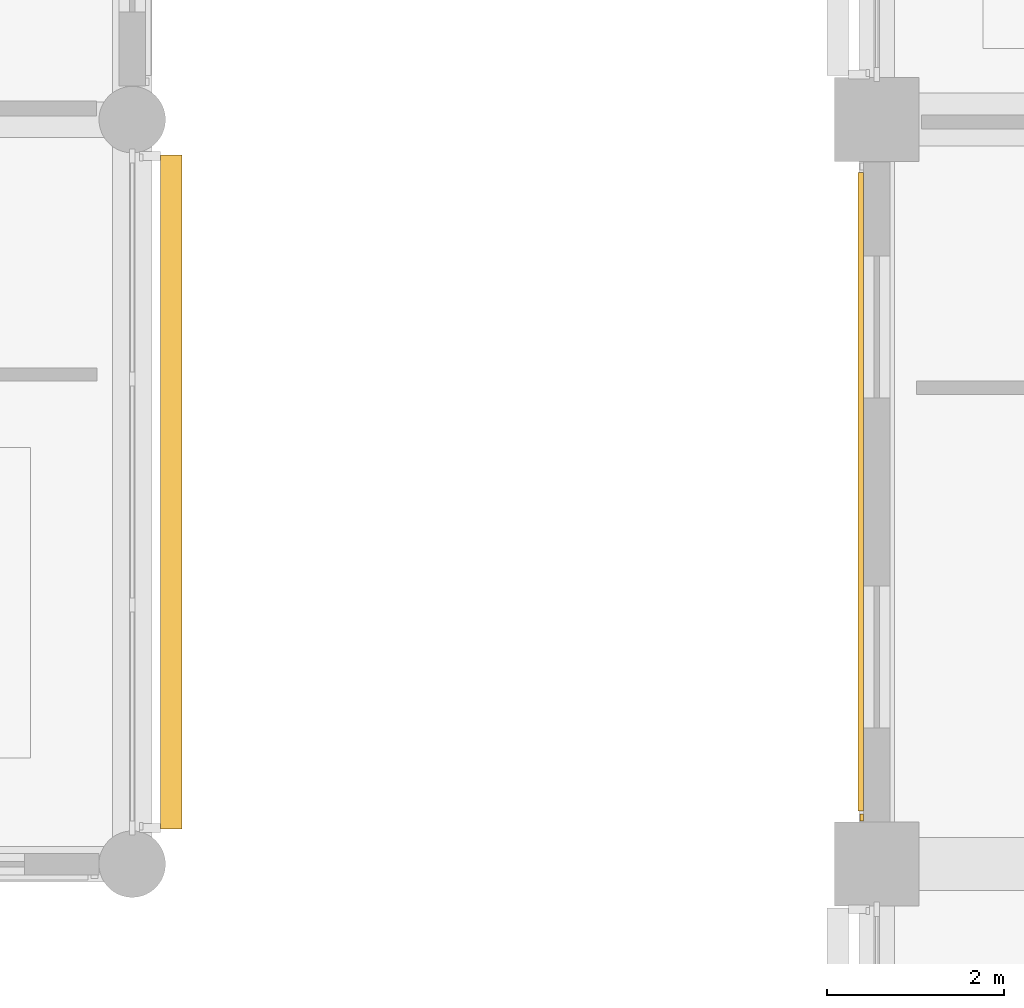
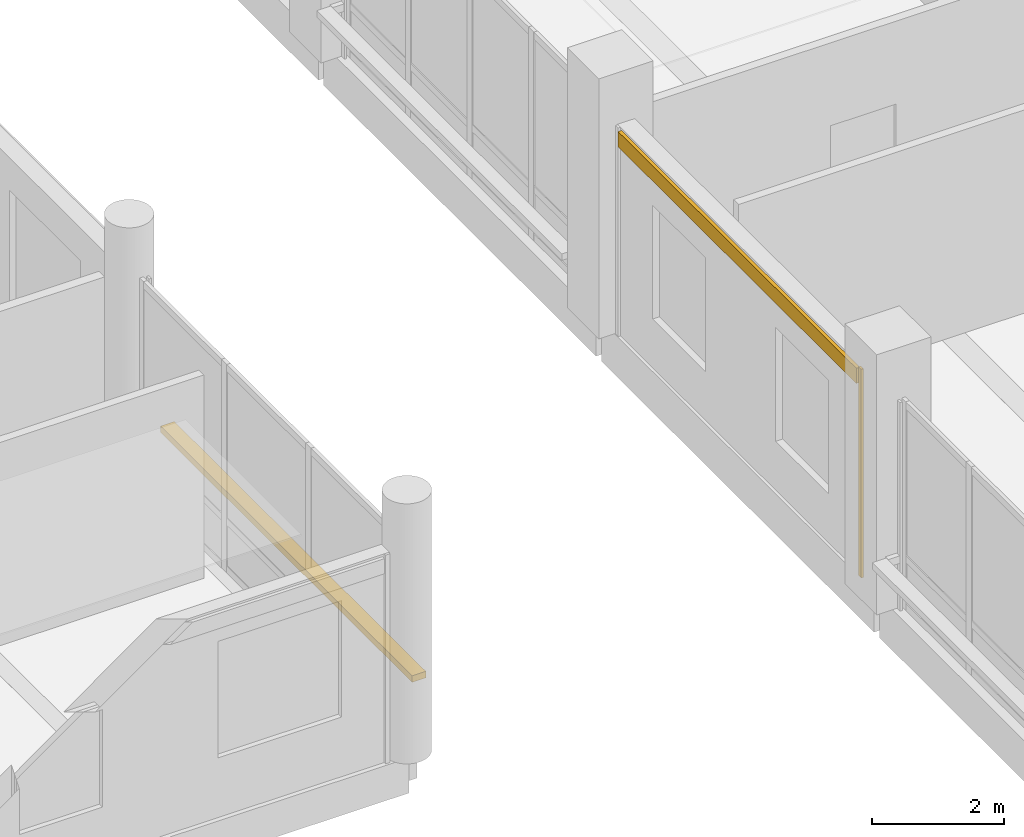
# One storey, part 90 of 122: 2 coverings, 1 shading device.
"""IFC4 building model written with IfcOpenShell, lengths in metres."""

import ifcopenshell
import ifcopenshell.guid

model = None  # the IFC model being written
_history = None  # IfcOwnerHistory: only IFC2X3 demands one
_inside = {}  # id of a spatial element -> (the spatial element, [elements in it])
_under = {}  # id of a project, library or spatial element -> (it, [spatial elements below it])
_declared = {}  # id of a project -> (the project, [libraries it declares])
_typed = {}  # id of a type object -> (the type object, [elements of that type])
_made_of = {}  # id of a material, layer set ... -> (it, [elements and type objects made of it])


def new_model(schema):
    """Start an empty IFC model of exactly this schema.

    Asked for "IFC4X3", IfcOpenShell would pick the latest addendum, in which some entities
    have other attributes; the version numbers below select the first issue.
    IFC2X3 requires an IfcOwnerHistory on every rooted entity: one is made here for all.
    """
    global model, _history
    if schema == "IFC4X3":
        model = ifcopenshell.file(schema_version=(4, 3, 0, 0))
    else:
        model = ifcopenshell.file(schema=schema)
    _inside.clear()
    _under.clear()
    _declared.clear()
    _typed.clear()
    _made_of.clear()
    _history = None
    if model.schema == "IFC2X3":
        org = make("IfcOrganization", Name="unknown")
        user = make(
            "IfcPersonAndOrganization",
            ThePerson=make("IfcPerson", FamilyName="unknown"),
            TheOrganization=org,
        )
        app = make(
            "IfcApplication",
            ApplicationDeveloper=org,
            Version="unknown",
            ApplicationFullName="unknown",
            ApplicationIdentifier="unknown",
        )
        _history = make(
            "IfcOwnerHistory",
            OwningUser=user,
            OwningApplication=app,
            ChangeAction="ADDED",
            CreationDate=0,
        )
    return model


def make(cls, **values):
    """One entity of the class cls with the attributes given. An attribute that is None is left unset."""
    return model.create_entity(
        cls, **{name: value for name, value in values.items() if value is not None}
    )


def rooted(cls, **values):
    """An entity with a GlobalId (a new one), such as an element, a storey or a relation."""
    return make(cls, GlobalId=ifcopenshell.guid.new(), OwnerHistory=_history, **values)


def si_unit(unit_type, name, prefix=None):
    """IfcSIUnit, for example si_unit("LENGTHUNIT", "METRE", prefix="MILLI")."""
    return make("IfcSIUnit", UnitType=unit_type, Prefix=prefix, Name=name)


def assignment(units):
    """IfcUnitAssignment: the units of a project."""
    return None if units is None else make("IfcUnitAssignment", Units=units)


def point(xyz):
    """IfcCartesianPoint."""
    return None if xyz is None else make("IfcCartesianPoint", Coordinates=xyz)


def direction(xyz):
    """IfcDirection."""
    return None if xyz is None else make("IfcDirection", DirectionRatios=xyz)


def frame(location, z_axis=None, x_axis=None):
    """IfcAxis2Placement3D, a coordinate frame: its origin and axes. An axis left out is left unset."""
    return make(
        "IfcAxis2Placement3D",
        Location=point(location),
        Axis=direction(z_axis),
        RefDirection=direction(x_axis),
    )


def frame_2d(location, x_axis=None):
    """IfcAxis2Placement2D, a coordinate frame in the plane: its origin and x axis."""
    return make(
        "IfcAxis2Placement2D", Location=point(location), RefDirection=direction(x_axis)
    )


def origin():
    """The frame at (0, 0, 0) with its axes left unset."""
    return frame((0.0, 0.0, 0.0))


def origin_2d():
    """The frame at (0, 0) in the plane with its x axis left unset."""
    return frame_2d((0.0, 0.0))


def place(relative_to, where):
    """IfcLocalPlacement: puts the frame where relative to a parent placement (None: the world)."""
    return make(
        "IfcLocalPlacement", PlacementRelTo=relative_to, RelativePlacement=where
    )


def context(
    kind, dimensions, precision=None, world=None, true_north=None, identifier=None
):
    """IfcGeometricRepresentationContext, for example the 3D "Model" context."""
    return make(
        "IfcGeometricRepresentationContext",
        ContextIdentifier=identifier,
        ContextType=kind,
        CoordinateSpaceDimension=dimensions,
        Precision=precision,
        WorldCoordinateSystem=world,
        TrueNorth=true_north,
    )


def subcontext(parent, identifier, kind, view, scale=None):
    """IfcGeometricRepresentationSubContext, for example "Body" below "Model"."""
    return make(
        "IfcGeometricRepresentationSubContext",
        ContextIdentifier=identifier,
        ContextType=kind,
        ParentContext=parent,
        TargetScale=scale,
        TargetView=view,
    )


def project(units=None, contexts=None):
    """IfcProject with its units and contexts."""
    return rooted(
        "IfcProject",
        Name="project",
        RepresentationContexts=contexts,
        UnitsInContext=assignment(units),
    )


def spatial(cls, under=None, at=None, **own):
    """A site, building, storey or space (cls), placed at a placement, below another one or the project."""
    s = rooted(cls, ObjectPlacement=at, **own)
    if under is not None:
        _under.setdefault(under.id(), (under, []))[1].append(s)
    return s


def profile(cls, at=None, kind="AREA", **sizes):
    """A parametric profile (cls). Its sizes go by their IFC names, for example OverallWidth=200.0."""
    return make(cls, ProfileType=kind, Position=at, **sizes)


def rectangle(**sizes):
    """IfcRectangleProfileDef."""
    return profile("IfcRectangleProfileDef", **sizes)


def extrude(swept, where, along, depth):
    """IfcExtrudedAreaSolid: the profile swept, set in the frame where, extruded along a direction by depth."""
    return make(
        "IfcExtrudedAreaSolid",
        SweptArea=swept,
        Position=where,
        ExtrudedDirection=direction(along),
        Depth=depth,
    )


def shape(context_of_items, identifier, shape_type, items):
    """IfcShapeRepresentation: the items that make up one representation, for example the "Body"."""
    return make(
        "IfcShapeRepresentation",
        ContextOfItems=context_of_items,
        RepresentationIdentifier=identifier,
        RepresentationType=shape_type,
        Items=items,
    )


def material(Name=None, Category=None):
    """IfcMaterial."""
    return make("IfcMaterial", Name=Name, Category=Category)


def layer(
    of_material, thickness, ventilated=None, Name=None, Category=None, Priority=None
):
    """IfcMaterialLayer: one layer of a wall or slab, of a material (None: an air gap)."""
    return make(
        "IfcMaterialLayer",
        Material=of_material,
        LayerThickness=thickness,
        IsVentilated=ventilated,
        Name=Name,
        Category=Category,
        Priority=Priority,
    )


def layer_set(layers, Name=None):
    """IfcMaterialLayerSet."""
    return make("IfcMaterialLayerSet", MaterialLayers=layers, LayerSetName=Name)


def made_of(thing, what):
    """Note that an element or type object is made of a material, layer set ...; save() writes the relation."""
    if what is not None:
        _made_of.setdefault(what.id(), (what, []))[1].append(thing)
    return thing


def type_object(cls, material=None, **own):
    """A type object (cls), such as IfcWallType, which elements share."""
    return made_of(rooted(cls, **own), material)


def element(
    cls,
    number,
    at=None,
    inside=None,
    cuts=None,
    type_object=None,
    material=None,
    context=None,
    identifier="Body",
    shape_type=None,
    held_by="IfcProductDefinitionShape",
    body=None,
    shapes=None,
    **own,
):
    """One element of the class cls, such as IfcWall. Its Tag is "e" and its number.

    at: its placement. inside: the storey or other place that contains it. cuts: it is an
    opening in that element (IfcRelVoidsElement). A single representation is given by context,
    identifier, shape_type and body (its items); several are given by shapes. held_by: the class
    of the entity that holds the representations. save() writes the other relations.
    """
    e = rooted(cls, Tag="e%d" % number, ObjectPlacement=at, **own)
    if body is not None:
        shapes = [shape(context, identifier, shape_type, body)]
    if shapes is not None:
        e.Representation = make(held_by, Representations=shapes)
    if inside is not None:
        _inside.setdefault(inside.id(), (inside, []))[1].append(e)
    if cuts is not None:
        rooted(
            "IfcRelVoidsElement", RelatingBuildingElement=cuts, RelatedOpeningElement=e
        )
    if type_object is not None:
        _typed.setdefault(type_object.id(), (type_object, []))[1].append(e)
    return made_of(e, material)


def aggregate(whole, parts):
    """IfcRelAggregates: a whole, such as a stair, and the parts it consists of."""
    return rooted("IfcRelAggregates", RelatingObject=whole, RelatedObjects=parts)


def save(model, path):
    """Write the relations noted so far, then the file.

    IfcRelAggregates (storeys below a building ...), IfcRelContainedInSpatialStructure (elements
    in a storey), IfcRelDefinesByType, IfcRelAssociatesMaterial and IfcRelDeclares: one each for
    every whole, place, type object, material and project.
    """
    for whole, parts in _under.values():
        aggregate(whole, parts)
    for where, things in _inside.values():
        rooted(
            "IfcRelContainedInSpatialStructure",
            RelatedElements=things,
            RelatingStructure=where,
        )
    for kind, things in _typed.values():
        rooted("IfcRelDefinesByType", RelatedObjects=things, RelatingType=kind)
    for what, things in _made_of.values():
        rooted("IfcRelAssociatesMaterial", RelatedObjects=things, RelatingMaterial=what)
    for by, libraries in _declared.values():
        rooted("IfcRelDeclares", RelatingContext=by, RelatedDefinitions=libraries)
    model.write(path)


model = new_model("IFC4")

# Units and contexts
model_context = context("Model", 3, precision=1e-05, world=origin(), true_north=direction((0.0, 1.0)))
body_context = subcontext(model_context, "Body", "Model", "MODEL_VIEW")
ifc_project = project(units=[si_unit("LENGTHUNIT", "METRE"), si_unit("AREAUNIT", "SQUARE_METRE"), si_unit("VOLUMEUNIT", "CUBIC_METRE"), si_unit("PLANEANGLEUNIT", "RADIAN"), si_unit("MASSUNIT", "GRAM", prefix="KILO")], contexts=[model_context])

# Site, building, storey
site_placement = place(None, origin())
site = spatial("IfcSite", under=ifc_project, at=site_placement, CompositionType="ELEMENT")
building_placement = place(site_placement, origin())
building = spatial("IfcBuilding", under=site, at=building_placement, Name="Telukmera Botanical Conservatory", CompositionType="ELEMENT")
storey_placement = place(building_placement, frame((0.0, 0.0, 10.199951171875)))
storey = spatial("IfcBuildingStorey", under=building, at=storey_placement, Name="L02", CompositionType="ELEMENT", Elevation=10.199951171875)

# Covering
ifc_material_1 = material(Name="Granite-faced precast concrete C40/50", Category="masonry")
ifc_layer_1 = layer(ifc_material_1, 0.0400390625)
ifc_layer_set_1 = layer_set([ifc_layer_1], Name="Granite-faced precast concrete C40/50")
covering_type_1 = type_object("IfcCoveringType", Name="Granite Precast Column Pier Reveal Casing", PredefinedType="CLADDING", material=ifc_layer_set_1)
covering_1_placement = place(storey_placement, frame((50.22998046875, 18.126953125, 0.0), z_axis=(0.0, 0.0, 1.0), x_axis=(0.0, 1.0, 0.0)))
element("IfcCovering", 1, at=covering_1_placement, inside=storey, type_object=covering_type_1, Name="Granite Pier Reveal V4:L02:W2 L", PredefinedType="CLADDING", context=body_context, shape_type="SweptSolid", body=[
    extrude(rectangle(XDim=0.080078125, YDim=0.0400390625, at=origin_2d()), origin(), (0.0, 0.0, 1.0), 3.85009765625),
])

# Shading device
ifc_material_2 = material(Name="Perforated terracotta-anodised aluminium 6063-T6", Category="masonry")
ifc_layer_2 = layer(ifc_material_2, 0.044921875)
ifc_layer_set_2 = layer_set([ifc_layer_2], Name="Perforated terracotta-anodised aluminium 6063-T6")
shading_device_type = type_object("IfcShadingDeviceType", Name="Perforated Terracotta Aluminium Monsoon Brise Soleil", PredefinedType="JALOUSIE", material=ifc_layer_set_2)
shading_device_placement = place(storey_placement, frame((42.43994140625, 21.800048828125, 0.889892578125), z_axis=(0.0, 0.0, 1.0), x_axis=(0.0, 1.0, 0.0)))
element("IfcShadingDevice", 2, at=shading_device_placement, inside=storey, type_object=shading_device_type, Name="Monsoon Shading BS01 V3:L02:E1", PredefinedType="JALOUSIE", context=body_context, shape_type="SweptSolid", body=[
    extrude(rectangle(XDim=7.60595703125, YDim=0.239990234375, at=origin_2d()), origin(), (0.0, 0.0, 1.0), 0.1201171875),
])

# Covering
ifc_material_3 = material(Name="Terracotta-faced precast concrete C40/50", Category="masonry")
ifc_layer_3 = layer(ifc_material_3, 0.06005859375)
ifc_layer_set_3 = layer_set([ifc_layer_3], Name="Terracotta-faced precast concrete C40/50")
covering_type_2 = type_object("IfcCoveringType", Name="Polychrome Terracotta Facade Band Cladding", PredefinedType="CLADDING", material=ifc_layer_set_3)
covering_2_placement = place(storey_placement, frame((50.219970703125, 21.800048828125, 3.5302734375), z_axis=(0.0, 0.0, 1.0), x_axis=(0.0, 1.0, 0.0)))
element("IfcCovering", 3, at=covering_2_placement, inside=storey, type_object=covering_type_2, Name="Polychrome Terracotta Band V4:L02:W2", PredefinedType="CLADDING", context=body_context, shape_type="SweptSolid", body=[
    extrude(rectangle(XDim=7.2060546875, YDim=0.06005859375, at=origin_2d()), origin(), (0.0, 0.0, 1.0), 0.280029296875),
])

save(model, "model.ifc")
